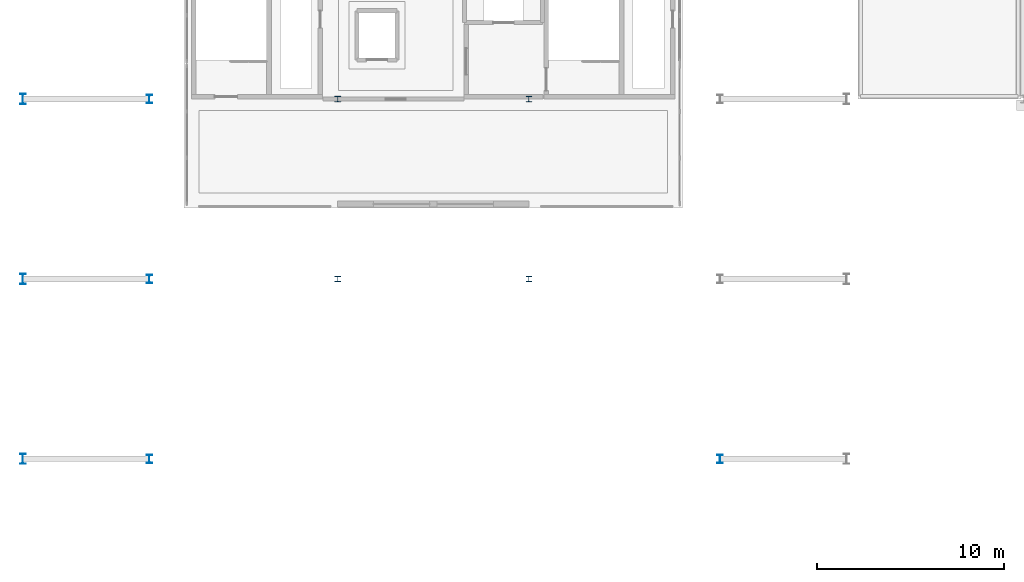
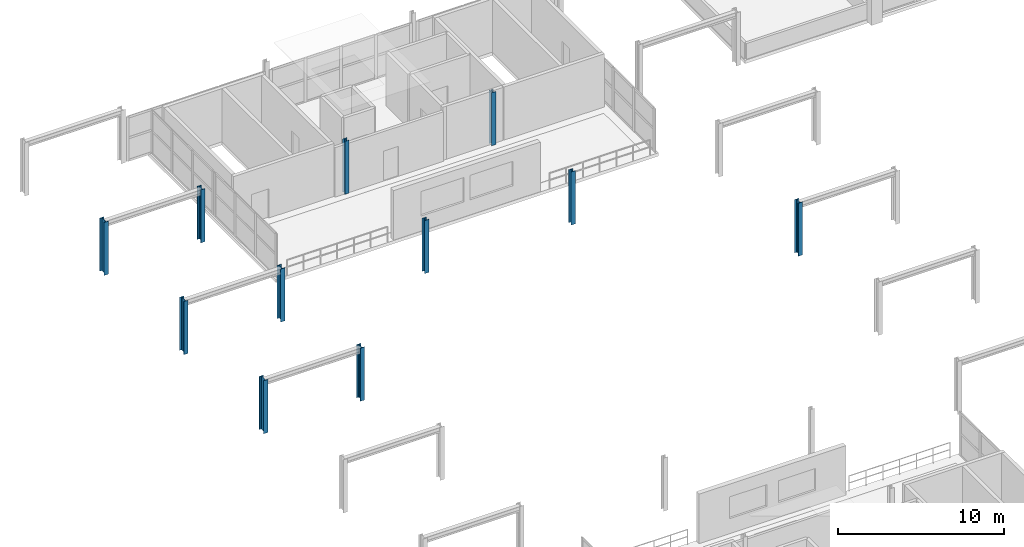
# One storey, part 7 of 52: 11 columns.
"""IFC4 building model written with IfcOpenShell, lengths in metres."""

from ifc_helpers import new_model, si_unit, direction, frame, origin, origin_2d, place, context, subcontext, project, spatial, i_section, extrude, material, material_profile, profile_set, type_object, element, save


model = new_model("IFC4")

# Units and contexts
model_context = context("Model", 3, precision=1e-05, world=origin(), true_north=direction((0.0, 1.0)))
body_context = subcontext(model_context, "Body", "Model", "MODEL_VIEW")
ifc_project = project(units=[si_unit("LENGTHUNIT", "METRE"), si_unit("AREAUNIT", "SQUARE_METRE"), si_unit("VOLUMEUNIT", "CUBIC_METRE"), si_unit("PLANEANGLEUNIT", "RADIAN"), si_unit("MASSUNIT", "GRAM", prefix="KILO")], contexts=[model_context])

# Site, building, storey
site_placement = place(None, origin())
site = spatial("IfcSite", under=ifc_project, at=site_placement, CompositionType="ELEMENT")
building_placement = place(site_placement, origin())
building = spatial("IfcBuilding", under=site, at=building_placement, Name="Myrtia Square Station", CompositionType="ELEMENT")
storey_placement = place(building_placement, frame((0.0, 0.0, 15.0)))
storey = spatial("IfcBuildingStorey", under=building, at=storey_placement, Name="L03", CompositionType="ELEMENT", Elevation=15.0)

# Columns
ifc_material = material(Name="Steel S355", Category="steel")
ifc_material_profile_1 = material_profile(ifc_material, i_section(OverallWidth=0.300048828125, OverallDepth=0.5400390625, WebThickness=0.012451171875, FlangeThickness=0.02392578125, FilletRadius=0.027099609375, at=origin_2d()), Name="HEA 550")
ifc_profile_set_1 = profile_set([ifc_material_profile_1], Name="Steel S355")
column_type_1 = type_object("IfcColumnType", Name="COL-HEA550", PredefinedType="COLUMN", material=ifc_profile_set_1)
for number, where, z_axis, x_axis, name in (
    (1, (72.60009765625, 67.199951171875, 0.0), (0.0, 0.0, 1.0), (1.0, 0.0, 0.0), "Column L03-0333"),
    (2, (72.60009765625, 76.800048828125, 0.0), (0.0, 0.0, 1.0), (1.0, 0.0, 0.0), "Column L03-0355"),
    (3, (72.60009765625, 86.39990234375, 0.0), (0.0, 0.0, 1.0), (1.0, 0.0, 0.0), "Column L03-0377"),
):
    element("IfcColumn", number, at=place(storey_placement, frame(where, z_axis=z_axis, x_axis=x_axis)), inside=storey, type_object=column_type_1, Name=name, PredefinedType="COLUMN", context=body_context, shape_type="SweptSolid", body=[
        extrude(i_section(OverallWidth=0.300048828125, OverallDepth=0.5400390625, WebThickness=0.012451171875, FlangeThickness=0.02392578125, FilletRadius=0.027099609375, at=origin_2d()), origin(), (0.0, 0.0, 1.0), 3.89990234375),
    ])
ifc_material_profile_2 = material_profile(ifc_material, i_section(OverallWidth=0.300048828125, OverallDepth=0.300048828125, WebThickness=0.010986328125, FlangeThickness=0.01904296875, FilletRadius=0.027099609375, at=origin_2d()), Name="HEB 300")
ifc_profile_set_2 = profile_set([ifc_material_profile_2], Name="Steel S355")
column_type_2 = type_object("IfcColumnType", Name="COL-HEB300", PredefinedType="COLUMN", material=ifc_profile_set_2)
for number, where, z_axis, x_axis, name in (
    (4, (89.39990234375, 76.800048828125, 0.0), (0.0, 0.0, 1.0), (1.0, 0.0, 0.0), "Column L03-0438"),
    (5, (89.39990234375, 86.39990234375, 0.0), (0.0, 0.0, 1.0), (1.0, 0.0, 0.0), "Column L03-0443"),
    (6, (99.60009765625, 76.800048828125, 0.0), (0.0, 0.0, 1.0), (1.0, 0.0, 0.0), "Column L03-0470"),
    (7, (99.60009765625, 86.39990234375, 0.0), (0.0, 0.0, 1.0), (1.0, 0.0, 0.0), "Column L03-0475"),
):
    element("IfcColumn", number, at=place(storey_placement, frame(where, z_axis=z_axis, x_axis=x_axis)), inside=storey, type_object=column_type_2, Name=name, PredefinedType="COLUMN", context=body_context, shape_type="SweptSolid", body=[
        extrude(i_section(OverallWidth=0.300048828125, OverallDepth=0.300048828125, WebThickness=0.010986328125, FlangeThickness=0.01904296875, FilletRadius=0.027099609375, at=origin_2d()), origin(), (0.0, 0.0, 1.0), 3.89990234375),
    ])
ifc_material_profile_3 = material_profile(ifc_material, i_section(OverallWidth=0.300048828125, OverallDepth=0.449951171875, WebThickness=0.013916015625, FlangeThickness=0.02587890625, FilletRadius=0.027099609375, at=origin_2d()), Name="HEB 450")
ifc_profile_set_3 = profile_set([ifc_material_profile_3], Name="Steel S355")
column_type_3 = type_object("IfcColumnType", Name="COL-HEB450", PredefinedType="COLUMN", material=ifc_profile_set_3)
for number, where, z_axis, x_axis, name in (
    (8, (79.35009765625, 67.199951171875, 0.0), (0.0, 0.0, 1.0), (1.0, 0.0, 0.0), "Column L03-0343"),
    (9, (109.800048828125, 67.199951171875, 0.0), (0.0, 0.0, 1.0), (1.0, 0.0, 0.0), "Column L03-0349"),
    (10, (79.35009765625, 76.800048828125, 0.0), (0.0, 0.0, 1.0), (1.0, 0.0, 0.0), "Column L03-0365"),
    (11, (79.35009765625, 86.39990234375, 0.0), (0.0, 0.0, 1.0), (1.0, 0.0, 0.0), "Column L03-0387"),
):
    element("IfcColumn", number, at=place(storey_placement, frame(where, z_axis=z_axis, x_axis=x_axis)), inside=storey, type_object=column_type_3, Name=name, PredefinedType="COLUMN", context=body_context, shape_type="SweptSolid", body=[
        extrude(i_section(OverallWidth=0.300048828125, OverallDepth=0.449951171875, WebThickness=0.013916015625, FlangeThickness=0.02587890625, FilletRadius=0.027099609375, at=origin_2d()), origin(), (0.0, 0.0, 1.0), 3.89990234375),
    ])

save(model, "model.ifc")
